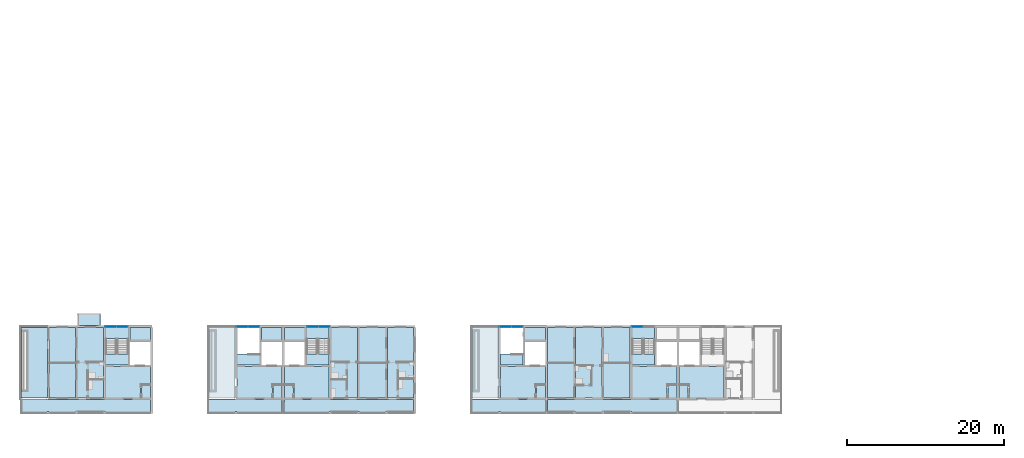
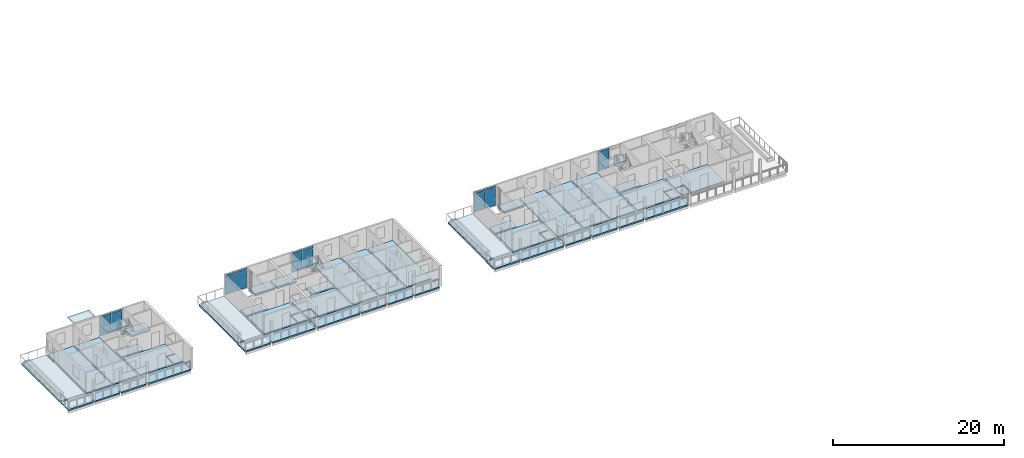
# One storey, part 23 of 55: 41 slabs, 18 plates, 8 elements without a shape of their own.
"""IFC4 building model written with IfcOpenShell, lengths in metres."""

from ifc_helpers import new_model, si_unit, direction, frame, origin, origin_2d, place, context, subcontext, project, spatial, polyline, rectangle, outline, extrude, material, layer, layer_set, type_object, element, aggregate, save


model = new_model("IFC4")

# Units and contexts
model_context = context("Model", 3, precision=1e-05, world=origin(), true_north=direction((0.0, 1.0)))
body_context = subcontext(model_context, "Body", "Model", "MODEL_VIEW")
ifc_project = project(units=[si_unit("LENGTHUNIT", "METRE"), si_unit("AREAUNIT", "SQUARE_METRE"), si_unit("VOLUMEUNIT", "CUBIC_METRE"), si_unit("PLANEANGLEUNIT", "RADIAN"), si_unit("MASSUNIT", "GRAM", prefix="KILO")], contexts=[model_context])

# Site, building, storey
site_placement = place(None, origin())
site = spatial("IfcSite", under=ifc_project, at=site_placement, CompositionType="ELEMENT")
building_placement = place(site_placement, origin())
building = spatial("IfcBuilding", under=site, at=building_placement, Name="Ridgestep Commons", CompositionType="ELEMENT")
storey_placement = place(building_placement, frame((0.0, 0.0, 36.0)))
storey = spatial("IfcBuildingStorey", under=building, at=storey_placement, Name="L12", CompositionType="ELEMENT", Elevation=36.0)

# Slabs
ifc_material_1 = material(Name="Precast concrete C40/50", Category="concrete")
ifc_layer_1 = layer(ifc_material_1, 0.199951171875)
ifc_layer_set_1 = layer_set([ifc_layer_1], Name="Gallery slab 200")
slab_type_1 = type_object("IfcSlabType", Name="Gallery slab 200", PredefinedType="FLOOR", material=ifc_layer_set_1)
slab_1_placement = place(storey_placement, frame((0.0, 0.0, -0.199951171875)))
element("IfcSlab", 1, at=slab_1_placement, inside=storey, type_object=slab_type_1, Name="Gallery slab A1 L12", PredefinedType="FLOOR", context=body_context, shape_type="SweptSolid", body=[
    extrude(outline(polyline([(28.64990234375, 13.550048828125), (12.14990234375, 13.550048828125), (12.14990234375, 11.75), (15.47509765625, 11.75), (15.47509765625, 12.0), (15.72509765625, 12.0), (15.72509765625, 11.75), (19.074951171875, 11.75), (19.074951171875, 12.0), (19.324951171875, 12.0), (19.324951171875, 11.75), (22.675048828125, 11.75), (22.675048828125, 12.0), (22.925048828125, 12.0), (22.925048828125, 11.75), (28.64990234375, 11.75), (28.64990234375, 13.550048828125)])), origin(), (0.0, 0.0, 1.0), 0.199951171875),
])
slab_2_placement = place(storey_placement, frame((0.0, 0.0, -0.199951171875)))
element("IfcSlab", 2, at=slab_2_placement, inside=storey, type_object=slab_type_1, Name="Gallery slab A2 L12", PredefinedType="FLOOR", context=body_context, shape_type="SweptSolid", body=[
    extrude(outline(polyline([(45.449951171875, 13.550048828125), (36.0, 13.550048828125), (36.0, 12.0), (36.125, 12.0), (36.125, 11.75), (39.47509765625, 11.75), (39.47509765625, 12.0), (39.72509765625, 12.0), (39.72509765625, 11.75), (45.449951171875, 11.75), (45.449951171875, 13.550048828125)])), origin(), (0.0, 0.0, 1.0), 0.199951171875),
])
slab_3_placement = place(storey_placement, frame((0.0, 0.0, -0.199951171875)))
element("IfcSlab", 3, at=slab_3_placement, inside=storey, type_object=slab_type_1, Name="Gallery slab A3 L12", PredefinedType="FLOOR", context=body_context, shape_type="SweptSolid", body=[
    extrude(outline(polyline([(62.25, 13.550048828125), (45.75, 13.550048828125), (45.75, 11.75), (51.47509765625, 11.75), (51.47509765625, 12.0), (51.72509765625, 12.0), (51.72509765625, 11.75), (55.074951171875, 11.75), (55.074951171875, 12.0), (55.324951171875, 12.0), (55.324951171875, 11.75), (58.675048828125, 11.75), (58.675048828125, 12.0), (58.925048828125, 12.0), (58.925048828125, 11.75), (62.25, 11.75), (62.25, 13.550048828125)])), origin(), (0.0, 0.0, 1.0), 0.199951171875),
])
slab_4_placement = place(storey_placement, frame((0.0, 0.0, -0.199951171875)))
element("IfcSlab", 4, at=slab_4_placement, inside=storey, type_object=slab_type_1, Name="Gallery slab A4 L12", PredefinedType="FLOOR", context=body_context, shape_type="SweptSolid", body=[
    extrude(outline(polyline([(79.050048828125, 13.550048828125), (69.60009765625, 13.550048828125), (69.60009765625, 12.0), (69.72509765625, 12.0), (69.72509765625, 11.75), (73.074951171875, 11.75), (73.074951171875, 12.0), (73.324951171875, 12.0), (73.324951171875, 11.75), (79.050048828125, 11.75), (79.050048828125, 13.550048828125)])), origin(), (0.0, 0.0, 1.0), 0.199951171875),
])
slab_5_placement = place(storey_placement, frame((0.0, 0.0, -0.199951171875)))
element("IfcSlab", 5, at=slab_5_placement, inside=storey, type_object=slab_type_1, Name="Gallery slab A5 L12", PredefinedType="FLOOR", context=body_context, shape_type="SweptSolid", body=[
    extrude(outline(polyline([(95.85009765625, 13.550048828125), (79.35009765625, 13.550048828125), (79.35009765625, 11.75), (82.675048828125, 11.75), (82.675048828125, 12.0), (82.925048828125, 12.0), (82.925048828125, 11.75), (86.27490234375, 11.75), (86.27490234375, 12.0), (86.52490234375, 12.0), (86.52490234375, 11.75), (89.875, 11.75), (89.875, 12.0), (90.125, 12.0), (90.125, 11.75), (95.85009765625, 11.75), (95.85009765625, 13.550048828125)])), origin(), (0.0, 0.0, 1.0), 0.199951171875),
])

# Curtain wall, plates
ifc_material_2 = material(Name="Aluminium 6063-T6 and glass", Category="aluminium")
curtain_wall_type = type_object("IfcCurtainWallType", Name="Curtain wall stair strip", PredefinedType="NOTDEFINED", material=ifc_material_2)
curtain_wall_1_placement = place(storey_placement, origin())
curtain_wall_1 = element("IfcCurtainWall", 6, at=curtain_wall_1_placement, inside=storey, type_object=curtain_wall_type, Name="Curtain wall A1C level 12", PredefinedType="NOTDEFINED")
ifc_material_3 = material(Name="Glass laminated 6/16/6 low-emissivity", Category="glass")
ifc_layer_2 = layer(ifc_material_3, 0.028076171875)
ifc_layer_set_2 = layer_set([ifc_layer_2], Name="Glazing panel 28")
plate_type_1 = type_object("IfcPlateType", Name="Glazing panel 28", PredefinedType="CURTAIN_PANEL", material=ifc_layer_set_2)
plate_1_placement = place(storey_placement, frame((23.5712890625, 22.830078125, 0.06005859375), z_axis=(0.0, 0.0, 1.0), x_axis=(1.0, 0.0, 0.0)))
plate_1 = element("IfcPlate", 7, at=plate_1_placement, type_object=plate_type_1, Name="CW1 panel 1.1", PredefinedType="CURTAIN_PANEL", context=body_context, shape_type="SweptSolid", body=[
    extrude(rectangle(XDim=1.422607421875, YDim=0.028076171875, at=origin_2d()), origin(), (0.0, 0.0, 1.0), 2.5),
])
plate_2_placement = place(storey_placement, frame((25.0537109375, 22.830078125, 0.06005859375), z_axis=(0.0, 0.0, 1.0), x_axis=(1.0, 0.0, 0.0)))
plate_2 = element("IfcPlate", 8, at=plate_2_placement, type_object=plate_type_1, Name="CW1 panel 2.1", PredefinedType="CURTAIN_PANEL", context=body_context, shape_type="SweptSolid", body=[
    extrude(rectangle(XDim=1.422607421875, YDim=0.028076171875, at=origin_2d()), origin(), (0.0, 0.0, 1.0), 2.5),
])

curtain_wall_2_placement = place(storey_placement, origin())
curtain_wall_2 = element("IfcCurtainWall", 9, at=curtain_wall_2_placement, inside=storey, type_object=curtain_wall_type, Name="Curtain wall A2C level 12", PredefinedType="NOTDEFINED")
plate_3_placement = place(storey_placement, frame((40.371337890625, 22.830078125, 0.06005859375), z_axis=(0.0, 0.0, 1.0), x_axis=(1.0, 0.0, 0.0)))
plate_3 = element("IfcPlate", 10, at=plate_3_placement, type_object=plate_type_1, Name="CW1 panel 1.1", PredefinedType="CURTAIN_PANEL", context=body_context, shape_type="SweptSolid", body=[
    extrude(rectangle(XDim=1.422607421875, YDim=0.028076171875, at=origin_2d()), origin(), (0.0, 0.0, 1.0), 2.5),
])
plate_4_placement = place(storey_placement, frame((41.853759765625, 22.830078125, 0.06005859375), z_axis=(0.0, 0.0, 1.0), x_axis=(1.0, 0.0, 0.0)))
plate_4 = element("IfcPlate", 11, at=plate_4_placement, type_object=plate_type_1, Name="CW1 panel 2.1", PredefinedType="CURTAIN_PANEL", context=body_context, shape_type="SweptSolid", body=[
    extrude(rectangle(XDim=1.422607421875, YDim=0.028076171875, at=origin_2d()), origin(), (0.0, 0.0, 1.0), 2.5),
])

curtain_wall_3_placement = place(storey_placement, origin())
curtain_wall_3 = element("IfcCurtainWall", 12, at=curtain_wall_3_placement, inside=storey, type_object=curtain_wall_type, Name="Curtain wall A3C level 12", PredefinedType="NOTDEFINED")
plate_5_placement = place(storey_placement, frame((49.34619140625, 22.830078125, 0.06005859375), z_axis=(0.0, 0.0, 1.0), x_axis=(1.0, 0.0, 0.0)))
plate_5 = element("IfcPlate", 13, at=plate_5_placement, type_object=plate_type_1, Name="CW1 panel 1.1", PredefinedType="CURTAIN_PANEL", context=body_context, shape_type="SweptSolid", body=[
    extrude(rectangle(XDim=1.422607421875, YDim=0.028076171875, at=origin_2d()), origin(), (0.0, 0.0, 1.0), 2.5),
])
plate_6_placement = place(storey_placement, frame((50.828857421875, 22.830078125, 0.06005859375), z_axis=(0.0, 0.0, 1.0), x_axis=(1.0, 0.0, 0.0)))
plate_6 = element("IfcPlate", 14, at=plate_6_placement, type_object=plate_type_1, Name="CW1 panel 2.1", PredefinedType="CURTAIN_PANEL", context=body_context, shape_type="SweptSolid", body=[
    extrude(rectangle(XDim=1.422607421875, YDim=0.028076171875, at=origin_2d()), origin(), (0.0, 0.0, 1.0), 2.5),
])

curtain_wall_4_placement = place(storey_placement, origin())
curtain_wall_4 = element("IfcCurtainWall", 15, at=curtain_wall_4_placement, inside=storey, type_object=curtain_wall_type, Name="Curtain wall A4C level 12", PredefinedType="NOTDEFINED")
plate_7_placement = place(storey_placement, frame((73.97119140625, 22.830078125, 0.06005859375), z_axis=(0.0, 0.0, 1.0), x_axis=(1.0, 0.0, 0.0)))
plate_7 = element("IfcPlate", 16, at=plate_7_placement, type_object=plate_type_1, Name="CW1 panel 1.1", PredefinedType="CURTAIN_PANEL", context=body_context, shape_type="SweptSolid", body=[
    extrude(rectangle(XDim=1.422607421875, YDim=0.028076171875, at=origin_2d()), origin(), (0.0, 0.0, 1.0), 2.5),
])
plate_8_placement = place(storey_placement, frame((75.453857421875, 22.830078125, 0.06005859375), z_axis=(0.0, 0.0, 1.0), x_axis=(1.0, 0.0, 0.0)))
plate_8 = element("IfcPlate", 17, at=plate_8_placement, type_object=plate_type_1, Name="CW1 panel 2.1", PredefinedType="CURTAIN_PANEL", context=body_context, shape_type="SweptSolid", body=[
    extrude(rectangle(XDim=1.422607421875, YDim=0.028076171875, at=origin_2d()), origin(), (0.0, 0.0, 1.0), 2.5),
])

# Curtain wall, plate
curtain_wall_5_placement = place(storey_placement, origin())
curtain_wall_5 = element("IfcCurtainWall", 18, at=curtain_wall_5_placement, inside=storey, type_object=curtain_wall_type, Name="Curtain wall A5C level 12", PredefinedType="NOTDEFINED")
plate_9_placement = place(storey_placement, frame((90.771240234375, 22.830078125, 0.06005859375), z_axis=(0.0, 0.0, 1.0), x_axis=(1.0, 0.0, 0.0)))
plate_9 = element("IfcPlate", 19, at=plate_9_placement, type_object=plate_type_1, Name="CW1 panel 1.1", PredefinedType="CURTAIN_PANEL", context=body_context, shape_type="SweptSolid", body=[
    extrude(rectangle(XDim=1.422607421875, YDim=0.028076171875, at=origin_2d()), origin(), (0.0, 0.0, 1.0), 2.5),
])

# Slabs
ifc_material_4 = material(Name="Precast concrete C50/60", Category="concrete")
ifc_layer_3 = layer(ifc_material_4, 0.199951171875)
ifc_layer_set_3 = layer_set([ifc_layer_3], Name="Hollow-core plank 200")
slab_type_2 = type_object("IfcSlabType", Name="Hollow-core plank 200", PredefinedType="FLOOR", material=ifc_layer_set_3)
slab_6_placement = place(storey_placement, frame((0.0, 0.0, -0.199951171875)))
element("IfcSlab", 20, at=slab_6_placement, inside=storey, type_object=slab_type_2, Name="Floor plank A1T2 L12", PredefinedType="FLOOR", context=body_context, shape_type="SweptSolid", body=[
    extrude(outline(polyline([(19.10009765625, 13.75), (19.10009765625, 22.75), (15.699951171875, 22.75), (15.699951171875, 13.75), (19.10009765625, 13.75)])), origin(), (0.0, 0.0, 1.0), 0.199951171875),
])
slab_7_placement = place(storey_placement, frame((0.0, 0.0, -0.199951171875)))
element("IfcSlab", 21, at=slab_7_placement, inside=storey, type_object=slab_type_2, Name="Floor plank A1T3 L12", PredefinedType="FLOOR", context=body_context, shape_type="SweptSolid", body=[
    extrude(outline(polyline([(22.675048828125, 13.75), (22.675048828125, 22.75), (19.300048828125, 22.75), (19.300048828125, 13.75), (22.675048828125, 13.75)])), origin(), (0.0, 0.0, 1.0), 0.199951171875),
])
slab_8_placement = place(storey_placement, frame((0.0, 0.0, -0.199951171875)))
element("IfcSlab", 22, at=slab_8_placement, inside=storey, type_object=slab_type_2, Name="Floor plank A3T3 L12", PredefinedType="FLOOR", context=body_context, shape_type="SweptSolid", body=[
    extrude(outline(polyline([(55.10009765625, 13.75), (55.10009765625, 22.75), (51.72509765625, 22.75), (51.72509765625, 13.75), (55.10009765625, 13.75)])), origin(), (0.0, 0.0, 1.0), 0.199951171875),
])
slab_9_placement = place(storey_placement, frame((0.0, 0.0, -0.199951171875)))
element("IfcSlab", 23, at=slab_9_placement, inside=storey, type_object=slab_type_2, Name="Floor plank A3T2 L12", PredefinedType="FLOOR", context=body_context, shape_type="SweptSolid", body=[
    extrude(outline(polyline([(58.699951171875, 13.75), (58.699951171875, 22.75), (55.300048828125, 22.75), (55.300048828125, 13.75), (58.699951171875, 13.75)])), origin(), (0.0, 0.0, 1.0), 0.199951171875),
])
slab_10_placement = place(storey_placement, frame((0.0, 0.0, -0.199951171875)))
element("IfcSlab", 24, at=slab_10_placement, inside=storey, type_object=slab_type_2, Name="Floor plank A3T1 L12", PredefinedType="FLOOR", context=body_context, shape_type="SweptSolid", body=[
    extrude(outline(polyline([(62.25, 13.75), (62.25, 22.75), (58.89990234375, 22.75), (58.89990234375, 13.75), (62.25, 13.75)])), origin(), (0.0, 0.0, 1.0), 0.199951171875),
])
slab_11_placement = place(storey_placement, frame((0.0, 0.0, -0.199951171875)))
element("IfcSlab", 25, at=slab_11_placement, inside=storey, type_object=slab_type_2, Name="Floor plank A5T1 L12", PredefinedType="FLOOR", context=body_context, shape_type="SweptSolid", body=[
    extrude(outline(polyline([(82.699951171875, 13.75), (82.699951171875, 22.75), (79.35009765625, 22.75), (79.35009765625, 13.75), (82.699951171875, 13.75)])), origin(), (0.0, 0.0, 1.0), 0.199951171875),
])
slab_12_placement = place(storey_placement, frame((0.0, 0.0, -0.199951171875)))
element("IfcSlab", 26, at=slab_12_placement, inside=storey, type_object=slab_type_2, Name="Floor plank A5T2 L12", PredefinedType="FLOOR", context=body_context, shape_type="SweptSolid", body=[
    extrude(outline(polyline([(86.300048828125, 13.75), (86.300048828125, 22.75), (82.89990234375, 22.75), (82.89990234375, 13.75), (86.300048828125, 13.75)])), origin(), (0.0, 0.0, 1.0), 0.199951171875),
])
slab_13_placement = place(storey_placement, frame((0.0, 0.0, -0.199951171875)))
element("IfcSlab", 27, at=slab_13_placement, inside=storey, type_object=slab_type_2, Name="Floor plank A5T3 L12", PredefinedType="FLOOR", context=body_context, shape_type="SweptSolid", body=[
    extrude(outline(polyline([(89.875, 13.75), (89.875, 22.75), (86.5, 22.75), (86.5, 13.75), (89.875, 13.75)])), origin(), (0.0, 0.0, 1.0), 0.199951171875),
])
ifc_material_5 = material(Name="Precast concrete C50/60", Category="concrete")
ifc_layer_4 = layer(ifc_material_5, 0.25)
ifc_layer_set_4 = layer_set([ifc_layer_4], Name="Hollow-core plank 250")
slab_type_3 = type_object("IfcSlabType", Name="Hollow-core plank 250", PredefinedType="FLOOR", material=ifc_layer_set_4)
slab_14_placement = place(storey_placement, frame((0.0, 0.0, -0.25)))
element("IfcSlab", 28, at=slab_14_placement, inside=storey, type_object=slab_type_3, Name="Floor plank A1C L12", PredefinedType="FLOOR", context=body_context, shape_type="SweptSolid", body=[
    extrude(outline(polyline([(27.52001953125, 15.469970703125), (28.64990234375, 15.469970703125), (28.64990234375, 17.75), (22.925048828125, 17.75), (22.925048828125, 13.75), (27.39990234375, 13.75), (27.39990234375, 15.469970703125), (27.52001953125, 15.469970703125)])), origin(), (0.0, 0.0, 1.0), 0.25),
])
slab_15_placement = place(storey_placement, frame((0.0, 0.0, -0.25)))
element("IfcSlab", 29, at=slab_15_placement, inside=storey, type_object=slab_type_3, Name="Floor plank A1C L12", PredefinedType="FLOOR", context=body_context, shape_type="SweptSolid", body=[
    extrude(outline(polyline([(28.64990234375, 21.14990234375), (28.64990234375, 22.75), (26.02490234375, 22.75), (26.02490234375, 21.14990234375), (28.64990234375, 21.14990234375)])), origin(), (0.0, 0.0, 1.0), 0.25),
])
slab_16_placement = place(storey_placement, frame((0.0, 0.0, -0.25)))
element("IfcSlab", 30, at=slab_16_placement, inside=storey, type_object=slab_type_3, Name="Floor plank A1C L12", PredefinedType="FLOOR", context=body_context, shape_type="SweptSolid", body=[
    extrude(outline(polyline([(25.824951171875, 17.949951171875), (25.824951171875, 19.35009765625), (22.925048828125, 19.35009765625), (22.925048828125, 17.949951171875), (25.824951171875, 17.949951171875)])), origin(), (0.0, 0.0, 1.0), 0.25),
])
slab_17_placement = place(storey_placement, frame((0.0, 0.0, -0.25)))
element("IfcSlab", 31, at=slab_17_placement, inside=storey, type_object=slab_type_3, Name="Floor plank A1C L12", PredefinedType="FLOOR", context=body_context, shape_type="SweptSolid", body=[
    extrude(outline(polyline([(27.52001953125, 13.75), (28.64990234375, 13.75), (28.64990234375, 15.35009765625), (27.52001953125, 15.35009765625), (27.52001953125, 13.75)])), origin(), (0.0, 0.0, 1.0), 0.25),
])
slab_18_placement = place(storey_placement, frame((0.0, 0.0, -0.25)))
element("IfcSlab", 32, at=slab_18_placement, inside=storey, type_object=slab_type_3, Name="Floor plank A2C L12", PredefinedType="FLOOR", context=body_context, shape_type="SweptSolid", body=[
    extrude(outline(polyline([(44.320068359375, 15.469970703125), (45.449951171875, 15.469970703125), (45.449951171875, 17.75), (39.72509765625, 17.75), (39.72509765625, 13.75), (44.199951171875, 13.75), (44.199951171875, 15.469970703125), (44.320068359375, 15.469970703125)])), origin(), (0.0, 0.0, 1.0), 0.25),
])
slab_19_placement = place(storey_placement, frame((0.0, 0.0, -0.25)))
element("IfcSlab", 33, at=slab_19_placement, inside=storey, type_object=slab_type_3, Name="Floor plank A2C L12", PredefinedType="FLOOR", context=body_context, shape_type="SweptSolid", body=[
    extrude(outline(polyline([(45.449951171875, 21.14990234375), (45.449951171875, 22.75), (42.824951171875, 22.75), (42.824951171875, 21.14990234375), (45.449951171875, 21.14990234375)])), origin(), (0.0, 0.0, 1.0), 0.25),
])
slab_20_placement = place(storey_placement, frame((0.0, 0.0, -0.25)))
element("IfcSlab", 34, at=slab_20_placement, inside=storey, type_object=slab_type_3, Name="Floor plank A2C L12", PredefinedType="FLOOR", context=body_context, shape_type="SweptSolid", body=[
    extrude(outline(polyline([(42.625, 17.949951171875), (42.625, 19.35009765625), (39.72509765625, 19.35009765625), (39.72509765625, 17.949951171875), (42.625, 17.949951171875)])), origin(), (0.0, 0.0, 1.0), 0.25),
])
slab_21_placement = place(storey_placement, frame((0.0, 0.0, -0.25)))
element("IfcSlab", 35, at=slab_21_placement, inside=storey, type_object=slab_type_3, Name="Floor plank A2C L12", PredefinedType="FLOOR", context=body_context, shape_type="SweptSolid", body=[
    extrude(outline(polyline([(44.320068359375, 13.75), (45.449951171875, 13.75), (45.449951171875, 15.35009765625), (44.320068359375, 15.35009765625), (44.320068359375, 13.75)])), origin(), (0.0, 0.0, 1.0), 0.25),
])
slab_22_placement = place(storey_placement, frame((0.0, 0.0, -0.25)))
element("IfcSlab", 36, at=slab_22_placement, inside=storey, type_object=slab_type_3, Name="Floor plank A3C L12", PredefinedType="FLOOR", context=body_context, shape_type="SweptSolid", body=[
    extrude(outline(polyline([(47.0, 13.75), (51.47509765625, 13.75), (51.47509765625, 17.75), (45.75, 17.75), (45.75, 15.469970703125), (46.8798828125, 15.469970703125), (47.0, 15.469970703125), (47.0, 13.75)])), origin(), (0.0, 0.0, 1.0), 0.25),
])
slab_23_placement = place(storey_placement, frame((0.0, 0.0, -0.25)))
element("IfcSlab", 37, at=slab_23_placement, inside=storey, type_object=slab_type_3, Name="Floor plank A3C L12", PredefinedType="FLOOR", context=body_context, shape_type="SweptSolid", body=[
    extrude(outline(polyline([(48.375, 22.75), (45.75, 22.75), (45.75, 21.14990234375), (48.375, 21.14990234375), (48.375, 22.75)])), origin(), (0.0, 0.0, 1.0), 0.25),
])
slab_24_placement = place(storey_placement, frame((0.0, 0.0, -0.25)))
element("IfcSlab", 38, at=slab_24_placement, inside=storey, type_object=slab_type_3, Name="Floor plank A3C L12", PredefinedType="FLOOR", context=body_context, shape_type="SweptSolid", body=[
    extrude(outline(polyline([(51.47509765625, 17.949951171875), (51.47509765625, 19.35009765625), (48.574951171875, 19.35009765625), (48.574951171875, 17.949951171875), (51.47509765625, 17.949951171875)])), origin(), (0.0, 0.0, 1.0), 0.25),
])
slab_25_placement = place(storey_placement, frame((0.0, 0.0, -0.25)))
element("IfcSlab", 39, at=slab_25_placement, inside=storey, type_object=slab_type_3, Name="Floor plank A3C L12", PredefinedType="FLOOR", context=body_context, shape_type="SweptSolid", body=[
    extrude(outline(polyline([(46.8798828125, 15.35009765625), (45.75, 15.35009765625), (45.75, 13.75), (46.8798828125, 13.75), (46.8798828125, 15.35009765625)])), origin(), (0.0, 0.0, 1.0), 0.25),
])
slab_26_placement = place(storey_placement, frame((0.0, 0.0, -0.25)))
element("IfcSlab", 40, at=slab_26_placement, inside=storey, type_object=slab_type_3, Name="Floor plank A4C L12", PredefinedType="FLOOR", context=body_context, shape_type="SweptSolid", body=[
    extrude(outline(polyline([(77.919921875, 15.469970703125), (79.050048828125, 15.469970703125), (79.050048828125, 17.75), (73.324951171875, 17.75), (73.324951171875, 13.75), (77.800048828125, 13.75), (77.800048828125, 15.469970703125), (77.919921875, 15.469970703125)])), origin(), (0.0, 0.0, 1.0), 0.25),
])
slab_27_placement = place(storey_placement, frame((0.0, 0.0, -0.25)))
element("IfcSlab", 41, at=slab_27_placement, inside=storey, type_object=slab_type_3, Name="Floor plank A4C L12", PredefinedType="FLOOR", context=body_context, shape_type="SweptSolid", body=[
    extrude(outline(polyline([(79.050048828125, 21.14990234375), (79.050048828125, 22.75), (76.425048828125, 22.75), (76.425048828125, 21.14990234375), (79.050048828125, 21.14990234375)])), origin(), (0.0, 0.0, 1.0), 0.25),
])
slab_28_placement = place(storey_placement, frame((0.0, 0.0, -0.25)))
element("IfcSlab", 42, at=slab_28_placement, inside=storey, type_object=slab_type_3, Name="Floor plank A4C L12", PredefinedType="FLOOR", context=body_context, shape_type="SweptSolid", body=[
    extrude(outline(polyline([(76.22509765625, 17.949951171875), (76.22509765625, 19.35009765625), (73.324951171875, 19.35009765625), (73.324951171875, 17.949951171875), (76.22509765625, 17.949951171875)])), origin(), (0.0, 0.0, 1.0), 0.25),
])
slab_29_placement = place(storey_placement, frame((0.0, 0.0, -0.25)))
element("IfcSlab", 43, at=slab_29_placement, inside=storey, type_object=slab_type_3, Name="Floor plank A4C L12", PredefinedType="FLOOR", context=body_context, shape_type="SweptSolid", body=[
    extrude(outline(polyline([(77.919921875, 13.75), (79.050048828125, 13.75), (79.050048828125, 15.35009765625), (77.919921875, 15.35009765625), (77.919921875, 13.75)])), origin(), (0.0, 0.0, 1.0), 0.25),
])
slab_30_placement = place(storey_placement, frame((0.0, 0.0, -0.25)))
element("IfcSlab", 44, at=slab_30_placement, inside=storey, type_object=slab_type_3, Name="Floor plank A5C L12", PredefinedType="FLOOR", context=body_context, shape_type="SweptSolid", body=[
    extrude(outline(polyline([(94.719970703125, 15.469970703125), (95.85009765625, 15.469970703125), (95.85009765625, 17.75), (90.125, 17.75), (90.125, 13.75), (94.60009765625, 13.75), (94.60009765625, 15.469970703125), (94.719970703125, 15.469970703125)])), origin(), (0.0, 0.0, 1.0), 0.25),
])
slab_31_placement = place(storey_placement, frame((0.0, 0.0, -0.25)))
element("IfcSlab", 45, at=slab_31_placement, inside=storey, type_object=slab_type_3, Name="Floor plank A5C L12", PredefinedType="FLOOR", context=body_context, shape_type="SweptSolid", body=[
    extrude(outline(polyline([(93.02490234375, 17.949951171875), (93.02490234375, 19.35009765625), (90.125, 19.35009765625), (90.125, 17.949951171875), (93.02490234375, 17.949951171875)])), origin(), (0.0, 0.0, 1.0), 0.25),
])
slab_32_placement = place(storey_placement, frame((0.0, 0.0, -0.25)))
element("IfcSlab", 46, at=slab_32_placement, inside=storey, type_object=slab_type_3, Name="Floor plank A5C L12", PredefinedType="FLOOR", context=body_context, shape_type="SweptSolid", body=[
    extrude(outline(polyline([(94.719970703125, 13.75), (95.85009765625, 13.75), (95.85009765625, 15.35009765625), (94.719970703125, 15.35009765625), (94.719970703125, 13.75)])), origin(), (0.0, 0.0, 1.0), 0.25),
])
slab_33_placement = place(storey_placement, frame((0.0, 0.0, -0.25)))
element("IfcSlab", 47, at=slab_33_placement, inside=storey, type_object=slab_type_3, Name="Floor plank A6C L12", PredefinedType="FLOOR", context=body_context, shape_type="SweptSolid", body=[
    extrude(outline(polyline([(97.39990234375, 13.75), (101.875, 13.75), (101.875, 17.75), (96.14990234375, 17.75), (96.14990234375, 15.469970703125), (97.280029296875, 15.469970703125), (97.39990234375, 15.469970703125), (97.39990234375, 13.75)])), origin(), (0.0, 0.0, 1.0), 0.25),
])
slab_34_placement = place(storey_placement, frame((0.0, 0.0, -0.25)))
element("IfcSlab", 48, at=slab_34_placement, inside=storey, type_object=slab_type_3, Name="Floor plank A6C L12", PredefinedType="FLOOR", context=body_context, shape_type="SweptSolid", body=[
    extrude(outline(polyline([(97.280029296875, 15.35009765625), (96.14990234375, 15.35009765625), (96.14990234375, 13.75), (97.280029296875, 13.75), (97.280029296875, 15.35009765625)])), origin(), (0.0, 0.0, 1.0), 0.25),
])
ifc_material_6 = material(Name="Precast concrete C50/60", Category="concrete")
ifc_layer_5 = layer(ifc_material_6, 0.25)
ifc_layer_set_5 = layer_set([ifc_layer_5], Name="Roof slab 250")
slab_type_4 = type_object("IfcSlabType", Name="Roof slab 250", PredefinedType="ROOF", material=ifc_layer_set_5)
slab_35_placement = place(storey_placement, frame((0.0, 0.0, -0.25)))
element("IfcSlab", 49, at=slab_35_placement, inside=storey, type_object=slab_type_4, Name="Terrace slab A1T1", PredefinedType="ROOF", context=body_context, shape_type="SweptSolid", body=[
    extrude(outline(polyline([(15.5, 13.75), (15.5, 22.75), (12.14990234375, 22.75), (12.14990234375, 13.75), (15.5, 13.75)])), origin(), (0.0, 0.0, 1.0), 0.25),
])
slab_36_placement = place(storey_placement, frame((0.0, 0.0, -0.25)))
element("IfcSlab", 50, at=slab_36_placement, inside=storey, type_object=slab_type_4, Name="Terrace slab A2T3", PredefinedType="ROOF", context=body_context, shape_type="SweptSolid", body=[
    extrude(outline(polyline([(39.47509765625, 13.75), (39.47509765625, 22.75), (36.10009765625, 22.75), (36.10009765625, 13.75), (39.47509765625, 13.75)])), origin(), (0.0, 0.0, 1.0), 0.25),
])
slab_37_placement = place(storey_placement, frame((0.0, 0.0, -0.25)))
element("IfcSlab", 51, at=slab_37_placement, inside=storey, type_object=slab_type_4, Name="Terrace slab A4T3", PredefinedType="ROOF", context=body_context, shape_type="SweptSolid", body=[
    extrude(outline(polyline([(73.074951171875, 13.75), (73.074951171875, 22.75), (69.699951171875, 22.75), (69.699951171875, 13.75), (73.074951171875, 13.75)])), origin(), (0.0, 0.0, 1.0), 0.25),
])

# Plate
ifc_material_7 = material(Name="Aluminium 6063-T6 and mineral wool", Category="aluminium")
ifc_layer_6 = layer(ifc_material_7, 0.0400390625)
ifc_layer_set_6 = layer_set([ifc_layer_6], Name="Spandrel panel 40")
plate_type_2 = type_object("IfcPlateType", Name="Spandrel panel 40", PredefinedType="CURTAIN_PANEL", material=ifc_layer_set_6)
plate_10_placement = place(storey_placement, frame((23.5712890625, 22.830078125, 2.6201171875), z_axis=(0.0, 0.0, 1.0), x_axis=(1.0, 0.0, 0.0)))
plate_10 = element("IfcPlate", 52, at=plate_10_placement, type_object=plate_type_2, Name="CW1 panel 1.2", PredefinedType="CURTAIN_PANEL", context=body_context, shape_type="SweptSolid", body=[
    extrude(rectangle(XDim=1.422607421875, YDim=0.0400390625, at=origin_2d()), origin(), (0.0, 0.0, 1.0), 0.320068359375),
])

plate_11_placement = place(storey_placement, frame((25.0537109375, 22.830078125, 2.6201171875), z_axis=(0.0, 0.0, 1.0), x_axis=(1.0, 0.0, 0.0)))
plate_11 = element("IfcPlate", 53, at=plate_11_placement, type_object=plate_type_2, Name="CW1 panel 2.2", PredefinedType="CURTAIN_PANEL", context=body_context, shape_type="SweptSolid", body=[
    extrude(rectangle(XDim=1.422607421875, YDim=0.0400390625, at=origin_2d()), origin(), (0.0, 0.0, 1.0), 0.320068359375),
])

aggregate(curtain_wall_1, [plate_1, plate_10, plate_2, plate_11])

plate_12_placement = place(storey_placement, frame((40.371337890625, 22.830078125, 2.6201171875), z_axis=(0.0, 0.0, 1.0), x_axis=(1.0, 0.0, 0.0)))
plate_12 = element("IfcPlate", 54, at=plate_12_placement, type_object=plate_type_2, Name="CW1 panel 1.2", PredefinedType="CURTAIN_PANEL", context=body_context, shape_type="SweptSolid", body=[
    extrude(rectangle(XDim=1.422607421875, YDim=0.0400390625, at=origin_2d()), origin(), (0.0, 0.0, 1.0), 0.320068359375),
])

plate_13_placement = place(storey_placement, frame((41.853759765625, 22.830078125, 2.6201171875), z_axis=(0.0, 0.0, 1.0), x_axis=(1.0, 0.0, 0.0)))
plate_13 = element("IfcPlate", 55, at=plate_13_placement, type_object=plate_type_2, Name="CW1 panel 2.2", PredefinedType="CURTAIN_PANEL", context=body_context, shape_type="SweptSolid", body=[
    extrude(rectangle(XDim=1.422607421875, YDim=0.0400390625, at=origin_2d()), origin(), (0.0, 0.0, 1.0), 0.320068359375),
])

aggregate(curtain_wall_2, [plate_3, plate_12, plate_4, plate_13])

plate_14_placement = place(storey_placement, frame((49.34619140625, 22.830078125, 2.6201171875), z_axis=(0.0, 0.0, 1.0), x_axis=(1.0, 0.0, 0.0)))
plate_14 = element("IfcPlate", 56, at=plate_14_placement, type_object=plate_type_2, Name="CW1 panel 1.2", PredefinedType="CURTAIN_PANEL", context=body_context, shape_type="SweptSolid", body=[
    extrude(rectangle(XDim=1.422607421875, YDim=0.0400390625, at=origin_2d()), origin(), (0.0, 0.0, 1.0), 0.320068359375),
])

plate_15_placement = place(storey_placement, frame((50.828857421875, 22.830078125, 2.6201171875), z_axis=(0.0, 0.0, 1.0), x_axis=(1.0, 0.0, 0.0)))
plate_15 = element("IfcPlate", 57, at=plate_15_placement, type_object=plate_type_2, Name="CW1 panel 2.2", PredefinedType="CURTAIN_PANEL", context=body_context, shape_type="SweptSolid", body=[
    extrude(rectangle(XDim=1.422607421875, YDim=0.0400390625, at=origin_2d()), origin(), (0.0, 0.0, 1.0), 0.320068359375),
])

aggregate(curtain_wall_3, [plate_5, plate_14, plate_6, plate_15])

plate_16_placement = place(storey_placement, frame((73.97119140625, 22.830078125, 2.6201171875), z_axis=(0.0, 0.0, 1.0), x_axis=(1.0, 0.0, 0.0)))
plate_16 = element("IfcPlate", 58, at=plate_16_placement, type_object=plate_type_2, Name="CW1 panel 1.2", PredefinedType="CURTAIN_PANEL", context=body_context, shape_type="SweptSolid", body=[
    extrude(rectangle(XDim=1.422607421875, YDim=0.0400390625, at=origin_2d()), origin(), (0.0, 0.0, 1.0), 0.320068359375),
])

plate_17_placement = place(storey_placement, frame((75.453857421875, 22.830078125, 2.6201171875), z_axis=(0.0, 0.0, 1.0), x_axis=(1.0, 0.0, 0.0)))
plate_17 = element("IfcPlate", 59, at=plate_17_placement, type_object=plate_type_2, Name="CW1 panel 2.2", PredefinedType="CURTAIN_PANEL", context=body_context, shape_type="SweptSolid", body=[
    extrude(rectangle(XDim=1.422607421875, YDim=0.0400390625, at=origin_2d()), origin(), (0.0, 0.0, 1.0), 0.320068359375),
])

aggregate(curtain_wall_4, [plate_7, plate_16, plate_8, plate_17])

plate_18_placement = place(storey_placement, frame((90.771240234375, 22.830078125, 2.6201171875), z_axis=(0.0, 0.0, 1.0), x_axis=(1.0, 0.0, 0.0)))
plate_18 = element("IfcPlate", 60, at=plate_18_placement, type_object=plate_type_2, Name="CW1 panel 1.2", PredefinedType="CURTAIN_PANEL", context=body_context, shape_type="SweptSolid", body=[
    extrude(rectangle(XDim=1.422607421875, YDim=0.0400390625, at=origin_2d()), origin(), (0.0, 0.0, 1.0), 0.320068359375),
])

aggregate(curtain_wall_5, [plate_9, plate_18])

# Stair, slab
ifc_material_8 = material(Name="Precast concrete C40/50", Category="concrete")
stair_type = type_object("IfcStairType", Name="Escape stair 1400", PredefinedType="HALF_TURN_STAIR", material=ifc_material_8)
stair_1_placement = place(storey_placement, origin())
stair_1 = element("IfcStair", 61, at=stair_1_placement, inside=storey, type_object=stair_type, Name="L12 Escape stair A1C", PredefinedType="HALF_TURN_STAIR")
ifc_material_9 = material(Name="Precast concrete C40/50", Category="concrete")
ifc_layer_7 = layer(ifc_material_9, 0.199951171875)
ifc_layer_set_7 = layer_set([ifc_layer_7], Name="Stair landing 200")
slab_type_5 = type_object("IfcSlabType", Name="Stair landing 200", PredefinedType="LANDING", material=ifc_layer_set_7)
slab_38_placement = place(storey_placement, frame((0.0, 0.0, 1.300048828125)))
slab_38 = element("IfcSlab", 62, at=slab_38_placement, type_object=slab_type_5, Name="A1C landing 1", PredefinedType="LANDING", context=body_context, shape_type="SweptSolid", body=[
    extrude(outline(polyline([(25.824951171875, 21.31005859375), (25.824951171875, 22.75), (22.925048828125, 22.75), (22.925048828125, 21.31005859375), (25.824951171875, 21.31005859375)])), origin(), (0.0, 0.0, 1.0), 0.199951171875),
])
aggregate(stair_1, [slab_38])

stair_2_placement = place(storey_placement, origin())
stair_2 = element("IfcStair", 63, at=stair_2_placement, inside=storey, type_object=stair_type, Name="L12 Escape stair A3C", PredefinedType="HALF_TURN_STAIR")
slab_39_placement = place(storey_placement, frame((0.0, 0.0, 1.300048828125)))
slab_39 = element("IfcSlab", 64, at=slab_39_placement, type_object=slab_type_5, Name="A3C landing 1", PredefinedType="LANDING", context=body_context, shape_type="SweptSolid", body=[
    extrude(outline(polyline([(51.47509765625, 21.31005859375), (51.47509765625, 22.75), (48.574951171875, 22.75), (48.574951171875, 21.31005859375), (51.47509765625, 21.31005859375)])), origin(), (0.0, 0.0, 1.0), 0.199951171875),
])
aggregate(stair_2, [slab_39])

stair_3_placement = place(storey_placement, origin())
stair_3 = element("IfcStair", 65, at=stair_3_placement, inside=storey, type_object=stair_type, Name="L12 Escape stair A5C", PredefinedType="HALF_TURN_STAIR")
slab_40_placement = place(storey_placement, frame((0.0, 0.0, 1.300048828125)))
slab_40 = element("IfcSlab", 66, at=slab_40_placement, type_object=slab_type_5, Name="A5C landing 1", PredefinedType="LANDING", context=body_context, shape_type="SweptSolid", body=[
    extrude(outline(polyline([(93.02490234375, 21.31005859375), (93.02490234375, 22.75), (90.125, 22.75), (90.125, 21.31005859375), (93.02490234375, 21.31005859375)])), origin(), (0.0, 0.0, 1.0), 0.199951171875),
])
aggregate(stair_3, [slab_40])

# Slab
ifc_material_10 = material(Name="Weathering steel S355J2W", Category="steel")
ifc_layer_8 = layer(ifc_material_10, 0.010009765625)
ifc_layer_set_8 = layer_set([ifc_layer_8], Name="Tray 3.0 x 1.5")
slab_type_6 = type_object("IfcSlabType", Name="Tray 3.0 x 1.5", PredefinedType="FLOOR", material=ifc_layer_set_8)
slab_41_placement = place(storey_placement, frame((0.0, 0.0, 2.989990234375)))
element("IfcSlab", 67, at=slab_41_placement, inside=storey, type_object=slab_type_6, Name="Tray deck A1T3-13", PredefinedType="FLOOR", context=body_context, shape_type="SweptSolid", body=[
    extrude(outline(polyline([(19.330078125, 23.0), (22.27001953125, 23.0), (22.27001953125, 24.5), (19.330078125, 24.5), (19.330078125, 23.0)])), origin(), (0.0, 0.0, 1.0), 0.010009765625),
])

save(model, "model.ifc")
